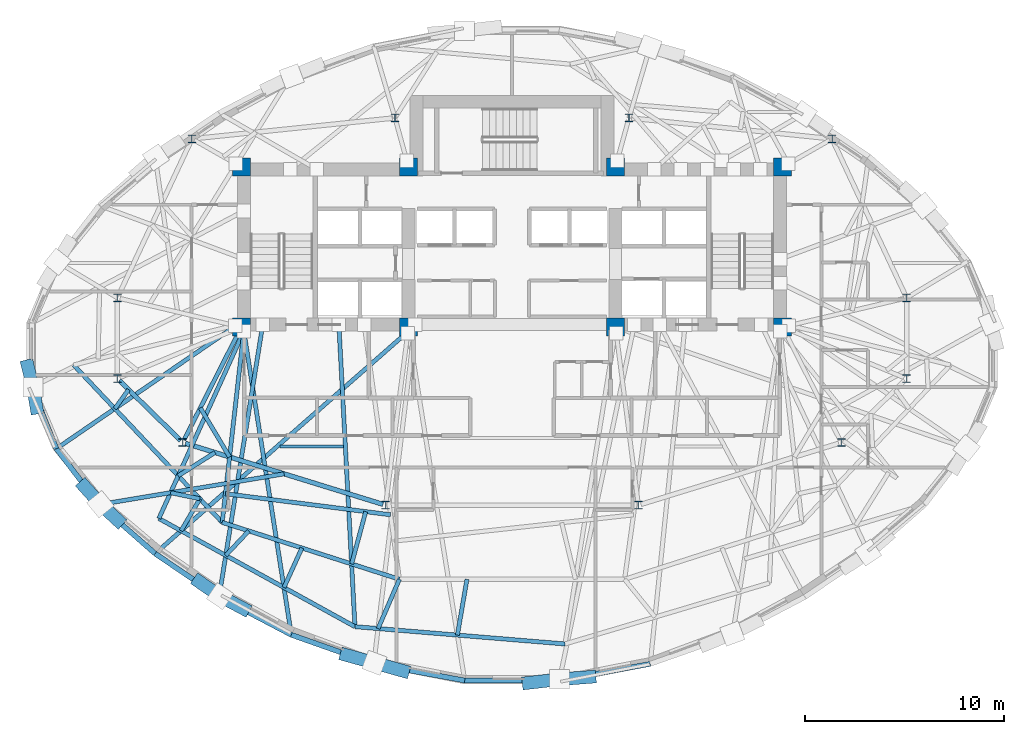
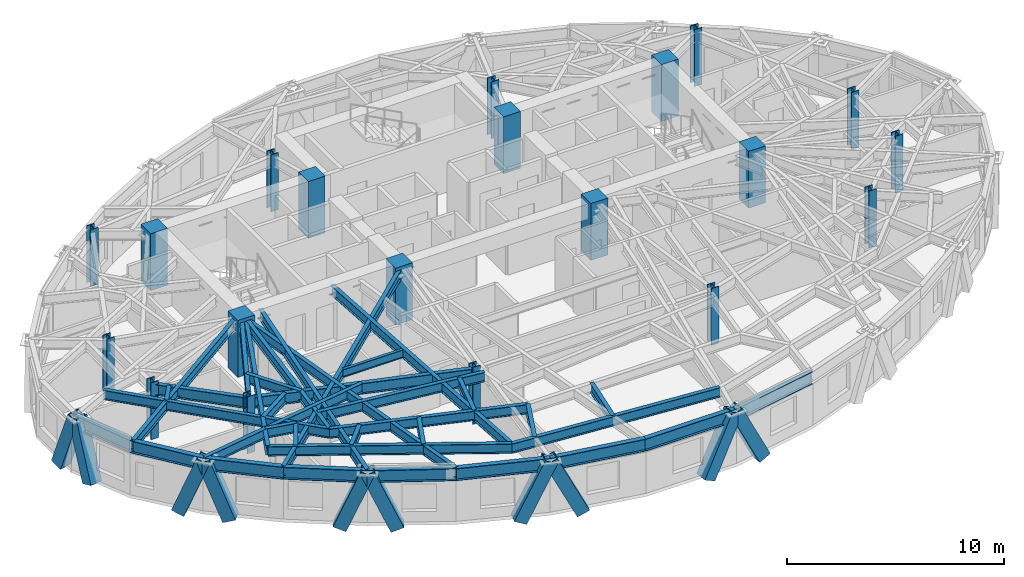
# One storey, part 1 of 14: 36 beams, 20 columns, 10 members.
"""IFC4 building model written with IfcOpenShell, lengths in metres."""

from ifc_helpers import new_model, si_unit, direction, frame, origin, origin_2d, place, context, subcontext, project, spatial, rectangle, hollow_rectangle, i_section, extrude, material, material_profile, profile_set, type_object, element, save


model = new_model("IFC4")

# Units and contexts
model_context = context("Model", 3, precision=1e-05, world=origin(), true_north=direction((0.0, 1.0)))
body_context = subcontext(model_context, "Body", "Model", "MODEL_VIEW")
ifc_project = project(units=[si_unit("LENGTHUNIT", "METRE"), si_unit("AREAUNIT", "SQUARE_METRE"), si_unit("VOLUMEUNIT", "CUBIC_METRE"), si_unit("PLANEANGLEUNIT", "RADIAN"), si_unit("MASSUNIT", "GRAM", prefix="KILO")], contexts=[model_context])

# Site, building, storey
site_placement = place(None, origin())
site = spatial("IfcSite", under=ifc_project, at=site_placement, CompositionType="ELEMENT")
building_placement = place(site_placement, origin())
building = spatial("IfcBuilding", under=site, at=building_placement, Name="Keldmark Tower", CompositionType="ELEMENT")
storey_placement = place(building_placement, frame((0.0, 0.0, 191.800048828125)))
storey = spatial("IfcBuildingStorey", under=building, at=storey_placement, Name="L53", CompositionType="ELEMENT", Elevation=191.800048828125)

# Columns
ifc_material_1 = material(Name="Concrete C50/60", Category="concrete")
ifc_material_profile_1 = material_profile(ifc_material_1, rectangle(XDim=0.89990234375, YDim=0.89990234375, at=origin_2d()), Name="RC900X900")
ifc_profile_set_1 = profile_set([ifc_material_profile_1], Name="Concrete C50/60")
column_type_1 = type_object("IfcColumnType", Name="Core Boundary Column RC900", PredefinedType="COLUMN", material=ifc_profile_set_1)
for number, where, z_axis, x_axis, name in (
    (1, (-13.60009765625, 1.39990234375, 0.0), (0.0, 0.0, 1.0), (1.0, 0.0, 0.0), "L53 Core Boundary Column CC-W1"),
    (2, (-13.60009765625, 9.449951171875, 0.0), (0.0, 0.0, 1.0), (1.0, 0.0, 0.0), "L53 Core Boundary Column CC-W2"),
    (3, (-5.199951171875, 1.39990234375, 0.0), (0.0, 0.0, 1.0), (1.0, 0.0, 0.0), "L53 Core Boundary Column CC-W3"),
    (4, (-5.199951171875, 9.449951171875, 0.0), (0.0, 0.0, 1.0), (1.0, 0.0, 0.0), "L53 Core Boundary Column CC-W4"),
    (5, (5.199951171875, 1.39990234375, 0.0), (0.0, 0.0, 1.0), (1.0, 0.0, 0.0), "L53 Core Boundary Column CC-E1"),
    (6, (5.199951171875, 9.449951171875, 0.0), (0.0, 0.0, 1.0), (1.0, 0.0, 0.0), "L53 Core Boundary Column CC-E2"),
    (7, (13.60009765625, 1.39990234375, 0.0), (0.0, 0.0, 1.0), (1.0, 0.0, 0.0), "L53 Core Boundary Column CC-E3"),
    (8, (13.60009765625, 9.449951171875, 0.0), (0.0, 0.0, 1.0), (1.0, 0.0, 0.0), "L53 Core Boundary Column CC-E4"),
):
    element("IfcColumn", number, at=place(storey_placement, frame(where, z_axis=z_axis, x_axis=x_axis)), inside=storey, type_object=column_type_1, Name=name, PredefinedType="COLUMN", context=body_context, shape_type="SweptSolid", body=[
        extrude(rectangle(XDim=0.89990234375, YDim=0.89990234375, at=origin_2d()), origin(), (0.0, 0.0, 1.0), 3.199951171875),
    ])
ifc_material_2 = material(Name="Steel ASTM A992 Grade 50", Category="steel")
ifc_material_profile_2 = material_profile(ifc_material_2, i_section(OverallWidth=0.404052734375, OverallDepth=0.406982421875, WebThickness=0.027099609375, FlangeThickness=0.043701171875, at=origin_2d()), Name="W14X233")
ifc_profile_set_2 = profile_set([ifc_material_profile_2], Name="Steel ASTM A992 Grade 50")
column_type_2 = type_object("IfcColumnType", Name="Tower Gravity Column W14X233", PredefinedType="COLUMN", material=ifc_profile_set_2)
for number, where, z_axis, x_axis, name in (
    (9, (19.828369140625, 2.869140625, 0.0), (0.0, 0.0, 1.0), (1.0, 0.0, 0.0), "L53 Tower Gravity Column TC-E1"),
    (10, (16.08154296875, 10.861083984375, 0.0), (0.0, 0.0, 1.0), (1.0, 0.0, 0.0), "L53 Tower Gravity Column TC-E4"),
    (11, (5.880126953125, 11.915283203125, 0.0), (0.0, 0.0, 1.0), (1.0, 0.0, 0.0), "L53 Tower Gravity Column TC-N2"),
    (12, (-5.880126953125, 11.915283203125, 0.0), (0.0, 0.0, 1.0), (1.0, 0.0, 0.0), "L53 Tower Gravity Column TC-N1"),
    (13, (-16.08154296875, 10.861083984375, 0.0), (0.0, 0.0, 1.0), (1.0, 0.0, 0.0), "L53 Tower Gravity Column TC-W4"),
    (14, (-19.828369140625, 2.869140625, 0.0), (0.0, 0.0, 1.0), (1.0, 0.0, 0.0), "L53 Tower Gravity Column TC-W1"),
    (15, (-19.828369140625, -1.189208984375, 0.0), (0.0, 0.0, 1.0), (1.0, 0.0, 0.0), "L53 Tower Gravity Column TC-W5"),
    (16, (-16.546630859375, -4.3984375, 0.0), (0.0, 0.0, 1.0), (1.0, 0.0, 0.0), "L53 Tower Gravity Column TC-W2"),
    (17, (-6.351318359375, -7.546142578125, 0.0), (0.0, 0.0, 1.0), (1.0, 0.0, 0.0), "L53 Tower Gravity Column TC-W3"),
    (18, (6.351318359375, -7.546142578125, 0.0), (0.0, 0.0, 1.0), (1.0, 0.0, 0.0), "L53 Tower Gravity Column TC-E3"),
    (19, (16.546630859375, -4.3984375, 0.0), (0.0, 0.0, 1.0), (1.0, 0.0, 0.0), "L53 Tower Gravity Column TC-E2"),
    (20, (19.828369140625, -1.189208984375, 0.0), (0.0, 0.0, 1.0), (1.0, 0.0, 0.0), "L53 Tower Gravity Column TC-E5"),
):
    element("IfcColumn", number, at=place(storey_placement, frame(where, z_axis=z_axis, x_axis=x_axis)), inside=storey, type_object=column_type_2, Name=name, PredefinedType="COLUMN", context=body_context, shape_type="SweptSolid", body=[
        extrude(i_section(OverallWidth=0.404052734375, OverallDepth=0.406982421875, WebThickness=0.027099609375, FlangeThickness=0.043701171875, at=origin_2d()), origin(), (0.0, 0.0, 1.0), 3.199951171875),
    ])

# Beam
ifc_material_3 = material(Name="Steel ASTM A992 Grade 50", Category="steel")
ifc_material_profile_3 = material_profile(ifc_material_3, i_section(OverallWidth=0.153076171875, OverallDepth=0.455078125, WebThickness=0.008056640625, FlangeThickness=0.01318359375, at=origin_2d()), Name="W18X40")
ifc_profile_set_3 = profile_set([ifc_material_profile_3], Name="Steel ASTM A992 Grade 50")
beam_type_1 = type_object("IfcBeamType", Name="Composite Floor Joist W18X40", PredefinedType="JOIST", material=ifc_profile_set_3)
beam_1_placement = place(storey_placement, frame((-11.6591796875, -4.60009765625, 2.79248046875), z_axis=(1.0, 0.0, 0.0), x_axis=(0.0, 1.0, 0.0)))
element("IfcBeam", 21, at=beam_1_placement, inside=storey, type_object=beam_type_1, Name="L53 Composite Floor Joist J01", PredefinedType="JOIST", context=body_context, shape_type="SweptSolid", body=[
    extrude(i_section(OverallWidth=0.153076171875, OverallDepth=0.455078125, WebThickness=0.008056640625, FlangeThickness=0.01318359375, at=origin_2d()), origin(), (0.0, 0.0, 1.0), 3.189208984375),
])

# Members
ifc_material_4 = material(Name="Steel ASTM A572 Grade 50", Category="steel")
ifc_material_profile_4 = material_profile(ifc_material_4, hollow_rectangle(XDim=0.64990234375, YDim=0.64990234375, WallThickness=0.0400390625, at=origin_2d()), Name="BOX650X650X40")
ifc_profile_set_4 = profile_set([ifc_material_profile_4], Name="Steel ASTM A572 Grade 50")
member_type = type_object("IfcMemberType", Name="Diagrid Zone 3 Brace BOX650X650X40", PredefinedType="BRACE", material=ifc_profile_set_4)
member_1_placement = place(storey_placement, frame((-24.333984375, -0.548828125, -0.260009765625), z_axis=(0.079163798339, -0.319281826298, 0.944347504062), x_axis=(0.970610381565, 0.240656367458, 0.0)))
element("IfcMember", 22, at=member_1_placement, inside=storey, type_object=member_type, Name="L53 Perimeter Diagrid Brace 08B", PredefinedType="BRACE", context=body_context, shape_type="SweptSolid", body=[
    extrude(hollow_rectangle(XDim=0.64990234375, YDim=0.64990234375, WallThickness=0.0400390625, at=origin_2d()), origin(), (0.0, 0.0, 1.0), 3.34619140625),
])
member_2_placement = place(storey_placement, frame((-23.89208984375, -2.661376953125, -0.260009765625), z_axis=(-0.053051141963, 0.316550676045, 0.947090938523), x_axis=(-0.986245645228, -0.165286198056, 0.0)))
element("IfcMember", 23, at=member_2_placement, inside=storey, type_object=member_type, Name="L53 Perimeter Diagrid Brace 09A", PredefinedType="BRACE", context=body_context, shape_type="SweptSolid", body=[
    extrude(hollow_rectangle(XDim=0.64990234375, YDim=0.64990234375, WallThickness=0.0400390625, at=origin_2d()), origin(), (0.0, 0.0, 1.0), 3.33642578125),
])
member_3_placement = place(storey_placement, frame((-21.50048828125, -6.589599609375, -0.260009765625), z_axis=(0.240557244368, -0.268518961209, 0.932753868742), x_axis=(0.744822917128, 0.667262183943, 0.0)))
element("IfcMember", 24, at=member_3_placement, inside=storey, type_object=member_type, Name="L53 Perimeter Diagrid Brace 09B", PredefinedType="BRACE", context=body_context, shape_type="SweptSolid", body=[
    extrude(hollow_rectangle(XDim=0.64990234375, YDim=0.64990234375, WallThickness=0.0400390625, at=origin_2d()), origin(), (0.0, 0.0, 1.0), 3.3876953125),
])
member_4_placement = place(storey_placement, frame((-19.789306640625, -8.32080078125, -0.260009765625), z_axis=(-0.265706617393, 0.245611158935, 0.932242002959), x_axis=(-0.678792531533, -0.734330102294, 0.0)))
element("IfcMember", 25, at=member_4_placement, inside=storey, type_object=member_type, Name="L53 Perimeter Diagrid Brace 10A", PredefinedType="BRACE", context=body_context, shape_type="SweptSolid", body=[
    extrude(hollow_rectangle(XDim=0.64990234375, YDim=0.64990234375, WallThickness=0.0400390625, at=origin_2d()), origin(), (0.0, 0.0, 1.0), 3.3896484375),
])
member_5_placement = place(storey_placement, frame((-15.731689453125, -11.384765625, -0.260009765625), z_axis=(0.310368763218, -0.215734544795, 0.925813068065), x_axis=(0.570753945784, 0.821121144151, 0.0)))
element("IfcMember", 26, at=member_5_placement, inside=storey, type_object=member_type, Name="L53 Perimeter Diagrid Brace 10B", PredefinedType="BRACE", context=body_context, shape_type="SweptSolid", body=[
    extrude(hollow_rectangle(XDim=0.64990234375, YDim=0.64990234375, WallThickness=0.0400390625, at=origin_2d()), origin(), (0.0, 0.0, 1.0), 3.4130859375),
])
member_6_placement = place(storey_placement, frame((-13.472900390625, -12.754150390625, -0.260009765625), z_axis=(-0.350775920859, 0.186272153648, 0.917746663367), x_axis=(-0.4690029299, -0.883196609903, 0.0)))
element("IfcMember", 27, at=member_6_placement, inside=storey, type_object=member_type, Name="L53 Perimeter Diagrid Brace 11A", PredefinedType="BRACE", context=body_context, shape_type="SweptSolid", body=[
    extrude(hollow_rectangle(XDim=0.64990234375, YDim=0.64990234375, WallThickness=0.0400390625, at=origin_2d()), origin(), (0.0, 0.0, 1.0), 3.443115234375),
])
member_7_placement = place(storey_placement, frame((-8.34326171875, -15.07421875, -0.260009765625), z_axis=(0.408685267397, -0.113418732828, 0.905600653299), x_axis=(0.267414129107, 0.963581695319, 0.0)))
element("IfcMember", 28, at=member_7_placement, inside=storey, type_object=member_type, Name="L53 Perimeter Diagrid Brace 11B", PredefinedType="BRACE", context=body_context, shape_type="SweptSolid", body=[
    extrude(hollow_rectangle(XDim=0.64990234375, YDim=0.64990234375, WallThickness=0.0400390625, at=origin_2d()), origin(), (0.0, 0.0, 1.0), 3.4892578125),
])
member_8_placement = place(storey_placement, frame((-5.448486328125, -15.881103515625, -0.260009765625), z_axis=(-0.421112234507, 0.118253262355, 0.899266730115), x_axis=(-0.270354550986, -0.962760830508, 0.0)))
element("IfcMember", 29, at=member_8_placement, inside=storey, type_object=member_type, Name="L53 Perimeter Diagrid Brace 12A", PredefinedType="BRACE", context=body_context, shape_type="SweptSolid", body=[
    extrude(hollow_rectangle(XDim=0.64990234375, YDim=0.64990234375, WallThickness=0.0400390625, at=origin_2d()), origin(), (0.0, 0.0, 1.0), 3.513916015625),
])
member_9_placement = place(storey_placement, frame((0.806884765625, -16.477783203125, -0.260009765625), z_axis=(0.445616427688, 0.050686883298, 0.893787916251), x_axis=(-0.113016785958, 0.993593078726, 0.0)))
element("IfcMember", 30, at=member_9_placement, inside=storey, type_object=member_type, Name="L53 Perimeter Diagrid Brace 12B", PredefinedType="BRACE", context=body_context, shape_type="SweptSolid", body=[
    extrude(hollow_rectangle(XDim=0.64990234375, YDim=0.64990234375, WallThickness=0.0400390625, at=origin_2d()), origin(), (0.0, 0.0, 1.0), 3.535400390625),
])
member_10_placement = place(storey_placement, frame((3.928466796875, -16.17822265625, -0.260009765625), z_axis=(-0.44193156866, -0.034143905869, 0.896398729536), x_axis=(0.077031052533, -0.997028694144, 0.0)))
element("IfcMember", 31, at=member_10_placement, inside=storey, type_object=member_type, Name="L53 Perimeter Diagrid Brace 13A", PredefinedType="BRACE", context=body_context, shape_type="SweptSolid", body=[
    extrude(hollow_rectangle(XDim=0.64990234375, YDim=0.64990234375, WallThickness=0.0400390625, at=origin_2d()), origin(), (0.0, 0.0, 1.0), 3.525146484375),
])

# Beams
ifc_material_5 = material(Name="Steel ASTM A992 Grade 50", Category="steel")
ifc_material_profile_5 = material_profile(ifc_material_5, i_section(OverallWidth=0.22900390625, OverallDepth=0.612060546875, WebThickness=0.011962890625, FlangeThickness=0.01953125, at=origin_2d()), Name="W24X84")
ifc_profile_set_5 = profile_set([ifc_material_profile_5], Name="Steel ASTM A992 Grade 50")
beam_type_2 = type_object("IfcBeamType", Name="Primary Floor Girder W24X84", PredefinedType="BEAM", material=ifc_profile_set_5)
beam_2_placement = place(storey_placement, frame((-19.728271484375, -1.287109375, 2.7138671875), z_axis=(0.714964509815, -0.699160746684, 0.0), x_axis=(0.699160746684, 0.714964509815, 0.0)))
element("IfcBeam", 32, at=beam_2_placement, inside=storey, type_object=beam_type_2, Name="L53 Floor Ring Girder FG-R07", PredefinedType="BEAM", context=body_context, shape_type="SweptSolid", body=[
    extrude(i_section(OverallWidth=0.22900390625, OverallDepth=0.612060546875, WebThickness=0.011962890625, FlangeThickness=0.01953125, at=origin_2d()), origin(), (0.0, 0.0, 1.0), 4.31005859375),
])
beam_3_placement = place(storey_placement, frame((-16.412841796875, -4.439697265625, 2.7138671875), z_axis=(0.955494563145, -0.295008711398, 0.0), x_axis=(0.295008711398, 0.955494563145, 0.0)))
element("IfcBeam", 33, at=beam_3_placement, inside=storey, type_object=beam_type_2, Name="L53 Floor Ring Girder FG-R08", PredefinedType="BEAM", context=body_context, shape_type="SweptSolid", body=[
    extrude(i_section(OverallWidth=0.22900390625, OverallDepth=0.612060546875, WebThickness=0.011962890625, FlangeThickness=0.01953125, at=origin_2d()), origin(), (0.0, 0.0, 1.0), 10.39013671875),
])
ifc_material_6 = material(Name="Steel ASTM A992 Grade 50", Category="steel")
ifc_material_profile_6 = material_profile(ifc_material_6, i_section(OverallWidth=0.2099609375, OverallDepth=0.537109375, WebThickness=0.010986328125, FlangeThickness=0.017333984375, at=origin_2d()), Name="W21X68")
ifc_profile_set_6 = profile_set([ifc_material_profile_6], Name="Steel ASTM A992 Grade 50")
beam_type_3 = type_object("IfcBeamType", Name="Radial Tie Girder W21X68", PredefinedType="BEAM", material=ifc_profile_set_6)
beam_4_placement = place(storey_placement, frame((-16.4833984375, -4.273681640625, 2.75146484375), z_axis=(0.453036691775, 0.891491870914, 0.0), x_axis=(-0.891491870914, 0.453036691775, 0.0)))
element("IfcBeam", 34, at=beam_4_placement, inside=storey, type_object=beam_type_3, Name="L53 Floor Radial Girder FG-C08", PredefinedType="BEAM", context=body_context, shape_type="SweptSolid", body=[
    extrude(i_section(OverallWidth=0.2099609375, OverallDepth=0.537109375, WebThickness=0.010986328125, FlangeThickness=0.017333984375, at=origin_2d()), origin(), (0.0, 0.0, 1.0), 6.044189453125),
])
beam_5_placement = place(storey_placement, frame((-15.661865234375, -2.6572265625, 2.75146484375), z_axis=(0.511806509488, -0.85910074895, 0.0), x_axis=(0.85910074895, 0.511806509488, 0.0)))
element("IfcBeam", 35, at=beam_5_placement, inside=storey, type_object=beam_type_3, Name="L53 Framing Pin Header PH-002", PredefinedType="BEAM", context=body_context, shape_type="SweptSolid", body=[
    extrude(i_section(OverallWidth=0.2099609375, OverallDepth=0.537109375, WebThickness=0.010986328125, FlangeThickness=0.017333984375, at=origin_2d()), origin(), (0.0, 0.0, 1.0), 2.873046875),
])
beam_6_placement = place(storey_placement, frame((-13.47509765625, 1.199951171875, 2.75146484375), z_axis=(-0.112536501734, -0.993647591341, 0.0), x_axis=(0.993647591341, -0.112536501734, 0.0)))
element("IfcBeam", 36, at=beam_6_placement, inside=storey, type_object=beam_type_3, Name="L53 Sub-Ring Step Girder STP1-M08", PredefinedType="BEAM", context=body_context, shape_type="SweptSolid", body=[
    extrude(i_section(OverallWidth=0.2099609375, OverallDepth=0.537109375, WebThickness=0.010986328125, FlangeThickness=0.017333984375, at=origin_2d()), origin(), (0.0, 0.0, 1.0), 9.673583984375),
])
beam_7_placement = place(storey_placement, frame((-14.400390625, -6.97021484375, 2.75146484375), z_axis=(0.991932291601, -0.126768800887, 0.0), x_axis=(0.126768800887, 0.991932291601, 0.0)))
element("IfcBeam", 37, at=beam_7_placement, inside=storey, type_object=beam_type_3, Name="L53 Framing Pin Header PH-003", PredefinedType="BEAM", context=body_context, shape_type="SweptSolid", body=[
    extrude(i_section(OverallWidth=0.2099609375, OverallDepth=0.537109375, WebThickness=0.010986328125, FlangeThickness=0.017333984375, at=origin_2d()), origin(), (0.0, 0.0, 1.0), 8.362060546875),
])
beam_8_placement = place(storey_placement, frame((-22.02880859375, -0.502685546875, 2.75146484375), z_axis=(0.68638422422, -0.727239091868, 0.0), x_axis=(0.727239091868, 0.68638422422, 0.0)))
element("IfcBeam", 38, at=beam_8_placement, inside=storey, type_object=beam_type_3, Name="L53 Perimeter Collector Ring Beam CRG1-M07", PredefinedType="BEAM", context=body_context, shape_type="SweptSolid", body=[
    extrude(i_section(OverallWidth=0.2099609375, OverallDepth=0.537109375, WebThickness=0.010986328125, FlangeThickness=0.017333984375, at=origin_2d()), origin(), (0.0, 0.0, 1.0), 10.8759765625),
])
beam_9_placement = place(storey_placement, frame((-14.563720703125, -8.412109375, 2.75146484375), z_axis=(0.952125468384, -0.30570752764, 0.0), x_axis=(0.30570752764, 0.952125468384, 0.0)))
element("IfcBeam", 39, at=beam_9_placement, inside=storey, type_object=beam_type_3, Name="L53 Perimeter Collector Ring Beam CRG1-M08", PredefinedType="BEAM", context=body_context, shape_type="SweptSolid", body=[
    extrude(i_section(OverallWidth=0.2099609375, OverallDepth=0.537109375, WebThickness=0.010986328125, FlangeThickness=0.017333984375, at=origin_2d()), origin(), (0.0, 0.0, 1.0), 9.353271484375),
])
beam_10_placement = place(storey_placement, frame((-14.923583984375, -4.8994140625, 2.75146484375), z_axis=(-0.844560236184, -0.535460556397, 0.0), x_axis=(0.535460556397, -0.844560236184, 0.0)))
element("IfcBeam", 40, at=beam_10_placement, inside=storey, type_object=beam_type_3, Name="L53 Framing Pin Header PH-007", PredefinedType="BEAM", context=body_context, shape_type="SweptSolid", body=[
    extrude(i_section(OverallWidth=0.2099609375, OverallDepth=0.537109375, WebThickness=0.010986328125, FlangeThickness=0.017333984375, at=origin_2d()), origin(), (0.0, 0.0, 1.0), 2.189453125),
])
beam_11_placement = place(storey_placement, frame((-13.47509765625, 1.199951171875, 2.75146484375), z_axis=(-0.413004007562, -0.910729207689, 0.0), x_axis=(0.910729207689, -0.413004007562, 0.0)))
element("IfcBeam", 41, at=beam_11_placement, inside=storey, type_object=beam_type_3, Name="L53 Sub-Ring Step Girder STP2-M08", PredefinedType="BEAM", context=body_context, shape_type="SweptSolid", body=[
    extrude(i_section(OverallWidth=0.2099609375, OverallDepth=0.537109375, WebThickness=0.010986328125, FlangeThickness=0.017333984375, at=origin_2d()), origin(), (0.0, 0.0, 1.0), 10.339599609375),
])
beam_12_placement = place(storey_placement, frame((-7.349853515625, -7.871337890625, 2.75146484375), z_axis=(-0.260613209865, -0.965443294474, 0.0), x_axis=(0.965443294474, -0.260613209865, 0.0)))
element("IfcBeam", 42, at=beam_12_placement, inside=storey, type_object=beam_type_3, Name="L53 Framing Pin Header PH-008", PredefinedType="BEAM", context=body_context, shape_type="SweptSolid", body=[
    extrude(i_section(OverallWidth=0.2099609375, OverallDepth=0.537109375, WebThickness=0.010986328125, FlangeThickness=0.017333984375, at=origin_2d()), origin(), (0.0, 0.0, 1.0), 2.72314453125),
])
beam_13_placement = place(storey_placement, frame((-8.699951171875, 1.52490234375, 2.75146484375), z_axis=(0.053186949352, -0.998584572492, 0.0), x_axis=(0.998584572492, 0.053186949352, 0.0)))
element("IfcBeam", 43, at=beam_13_placement, inside=storey, type_object=beam_type_3, Name="L53 Sub-Ring Step Girder STP2-M09", PredefinedType="BEAM", context=body_context, shape_type="SweptSolid", body=[
    extrude(i_section(OverallWidth=0.2099609375, OverallDepth=0.537109375, WebThickness=0.010986328125, FlangeThickness=0.017333984375, at=origin_2d()), origin(), (0.0, 0.0, 1.0), 15.1982421875),
])
beam_14_placement = place(storey_placement, frame((-17.745361328125, -8.216552734375, 2.75146484375), z_axis=(0.875624827042, -0.482991886337, 0.0), x_axis=(0.482991886337, 0.875624827042, 0.0)))
element("IfcBeam", 44, at=beam_14_placement, inside=storey, type_object=beam_type_3, Name="L53 Perimeter Collector Ring Beam CRG2-M08", PredefinedType="BEAM", context=body_context, shape_type="SweptSolid", body=[
    extrude(i_section(OverallWidth=0.2099609375, OverallDepth=0.537109375, WebThickness=0.010986328125, FlangeThickness=0.017333984375, at=origin_2d()), origin(), (0.0, 0.0, 1.0), 11.25341796875),
])
beam_15_placement = place(storey_placement, frame((-7.8916015625, -13.65185546875, 2.75146484375), z_axis=(0.996623219131, -0.082110651491, 0.0), x_axis=(0.082110651491, 0.996623219131, 0.0)))
element("IfcBeam", 45, at=beam_15_placement, inside=storey, type_object=beam_type_3, Name="L53 Perimeter Collector Ring Beam CRG2-M09", PredefinedType="BEAM", context=body_context, shape_type="SweptSolid", body=[
    extrude(i_section(OverallWidth=0.2099609375, OverallDepth=0.537109375, WebThickness=0.010986328125, FlangeThickness=0.017333984375, at=origin_2d()), origin(), (0.0, 0.0, 1.0), 10.5908203125),
])
beam_16_placement = place(storey_placement, frame((-19.26611328125, -1.739013671875, 2.75146484375), z_axis=(-0.586523837117, -0.809931965349, 0.0), x_axis=(0.809931965349, -0.586523837117, 0.0)))
element("IfcBeam", 46, at=beam_16_placement, inside=storey, type_object=beam_type_3, Name="L53 Framing Pin Header PH-021", PredefinedType="BEAM", context=body_context, shape_type="SweptSolid", body=[
    extrude(i_section(OverallWidth=0.2099609375, OverallDepth=0.537109375, WebThickness=0.010986328125, FlangeThickness=0.017333984375, at=origin_2d()), origin(), (0.0, 0.0, 1.0), 1.181396484375),
])
beam_17_placement = place(storey_placement, frame((-13.800048828125, 1.52490234375, 2.75146484375), z_axis=(-0.824894327773, -0.565286960762, 0.0), x_axis=(0.565286960762, -0.824894327773, 0.0)))
element("IfcBeam", 47, at=beam_17_placement, inside=storey, type_object=beam_type_3, Name="L53 Perimeter Radial Tie Girder RT-18", PredefinedType="BEAM", context=body_context, shape_type="SweptSolid", body=[
    extrude(i_section(OverallWidth=0.2099609375, OverallDepth=0.537109375, WebThickness=0.010986328125, FlangeThickness=0.017333984375, at=origin_2d()), origin(), (0.0, 0.0, 1.0), 11.02734375),
])
beam_18_placement = place(storey_placement, frame((-15.68359375, -7.2255859375, 2.75146484375), z_axis=(-0.97930034681, 0.202412526138, 0.0), x_axis=(-0.202412526138, -0.97930034681, 0.0)))
element("IfcBeam", 48, at=beam_18_placement, inside=storey, type_object=beam_type_3, Name="L53 Framing Pin Header PH-022", PredefinedType="BEAM", context=body_context, shape_type="SweptSolid", body=[
    extrude(i_section(OverallWidth=0.2099609375, OverallDepth=0.537109375, WebThickness=0.010986328125, FlangeThickness=0.017333984375, at=origin_2d()), origin(), (0.0, 0.0, 1.0), 1.50537109375),
])
beam_19_placement = place(storey_placement, frame((-11.448974609375, -5.972412109375, 2.75146484375), z_axis=(-0.986476442363, -0.163903107543, 0.0), x_axis=(0.163903107543, -0.986476442363, 0.0)))
element("IfcBeam", 49, at=beam_19_placement, inside=storey, type_object=beam_type_3, Name="L53 Perimeter Radial Tie Girder RT-19", PredefinedType="BEAM", context=body_context, shape_type="SweptSolid", body=[
    extrude(i_section(OverallWidth=0.2099609375, OverallDepth=0.537109375, WebThickness=0.010986328125, FlangeThickness=0.017333984375, at=origin_2d()), origin(), (0.0, 0.0, 1.0), 9.42138671875),
])
beam_20_placement = place(storey_placement, frame((-15.68359375, -7.2255859375, 2.75146484375), z_axis=(-0.507100252655, -0.861887077149, 0.0), x_axis=(0.861887077149, -0.507100252655, 0.0)))
element("IfcBeam", 50, at=beam_20_placement, inside=storey, type_object=beam_type_3, Name="L53 Framing Pin Header PH-023", PredefinedType="BEAM", context=body_context, shape_type="SweptSolid", body=[
    extrude(i_section(OverallWidth=0.2099609375, OverallDepth=0.537109375, WebThickness=0.010986328125, FlangeThickness=0.017333984375, at=origin_2d()), origin(), (0.0, 0.0, 1.0), 1.8642578125),
])
beam_21_placement = place(storey_placement, frame((-5.199951171875, 1.199951171875, 2.75146484375), z_axis=(-0.751531513051, -0.659697191817, 0.0), x_axis=(0.659697191817, -0.751531513051, 0.0)))
element("IfcBeam", 51, at=beam_21_placement, inside=storey, type_object=beam_type_3, Name="L53 Perimeter Radial Tie Girder RT-20", PredefinedType="BEAM", context=body_context, shape_type="SweptSolid", body=[
    extrude(i_section(OverallWidth=0.2099609375, OverallDepth=0.537109375, WebThickness=0.010986328125, FlangeThickness=0.017333984375, at=origin_2d()), origin(), (0.0, 0.0, 1.0), 16.9453125),
])
beam_22_placement = place(storey_placement, frame((-13.22802734375, -8.8408203125, 2.75146484375), z_axis=(-0.684926903586, -0.728611787404, 0.0), x_axis=(0.728611787404, -0.684926903586, 0.0)))
element("IfcBeam", 52, at=beam_22_placement, inside=storey, type_object=beam_type_3, Name="L53 Framing Pin Header PH-024", PredefinedType="BEAM", context=body_context, shape_type="SweptSolid", body=[
    extrude(i_section(OverallWidth=0.2099609375, OverallDepth=0.537109375, WebThickness=0.010986328125, FlangeThickness=0.017333984375, at=origin_2d()), origin(), (0.0, 0.0, 1.0), 1.687744140625),
])
beam_23_placement = place(storey_placement, frame((-12.52490234375, 1.52490234375, 2.75146484375), z_axis=(-0.158299671011, -0.987391115089, 0.0), x_axis=(0.987391115089, -0.158299671011, 0.0)))
element("IfcBeam", 53, at=beam_23_placement, inside=storey, type_object=beam_type_3, Name="L53 Perimeter Radial Tie Girder RT-21", PredefinedType="BEAM", context=body_context, shape_type="SweptSolid", body=[
    extrude(i_section(OverallWidth=0.2099609375, OverallDepth=0.537109375, WebThickness=0.010986328125, FlangeThickness=0.017333984375, at=origin_2d()), origin(), (0.0, 0.0, 1.0), 13.85888671875),
])
beam_24_placement = place(storey_placement, frame((-10.556396484375, -9.69873046875, 2.75146484375), z_axis=(-0.414089690547, -0.910236083762, 0.0), x_axis=(0.910236083762, -0.414089690547, 0.0)))
element("IfcBeam", 54, at=beam_24_placement, inside=storey, type_object=beam_type_3, Name="L53 Framing Pin Header PH-025", PredefinedType="BEAM", context=body_context, shape_type="SweptSolid", body=[
    extrude(i_section(OverallWidth=0.2099609375, OverallDepth=0.537109375, WebThickness=0.010986328125, FlangeThickness=0.017333984375, at=origin_2d()), origin(), (0.0, 0.0, 1.0), 2.180908203125),
])
beam_25_placement = place(storey_placement, frame((-13.47509765625, 1.199951171875, 2.75146484375), z_axis=(0.154560073857, -0.987983392355, 0.0), x_axis=(0.987983392355, 0.154560073857, 0.0)))
element("IfcBeam", 55, at=beam_25_placement, inside=storey, type_object=beam_type_3, Name="L53 Perimeter Radial Tie Girder RT-22", PredefinedType="BEAM", context=body_context, shape_type="SweptSolid", body=[
    extrude(i_section(OverallWidth=0.2099609375, OverallDepth=0.537109375, WebThickness=0.010986328125, FlangeThickness=0.017333984375, at=origin_2d()), origin(), (0.0, 0.0, 1.0), 15.4482421875),
])
beam_26_placement = place(storey_placement, frame((-5.658203125, -11.271484375, 2.75146484375), z_axis=(-0.397236655141, -0.917716208756, 0.0), x_axis=(0.917716208756, -0.397236655141, 0.0)))
element("IfcBeam", 56, at=beam_26_placement, inside=storey, type_object=beam_type_3, Name="L53 Framing Pin Header PH-026", PredefinedType="BEAM", context=body_context, shape_type="SweptSolid", body=[
    extrude(i_section(OverallWidth=0.2099609375, OverallDepth=0.537109375, WebThickness=0.010986328125, FlangeThickness=0.017333984375, at=origin_2d()), origin(), (0.0, 0.0, 1.0), 2.697998046875),
])
beam_27_placement = place(storey_placement, frame((-2.26318359375, -11.271484375, 2.75146484375), z_axis=(-0.168780428201, -0.985653675008, 0.0), x_axis=(0.985653675008, -0.168780428201, 0.0)))
element("IfcBeam", 57, at=beam_27_placement, inside=storey, type_object=beam_type_3, Name="L53 Framing Pin Header PH-027", PredefinedType="BEAM", context=body_context, shape_type="SweptSolid", body=[
    extrude(i_section(OverallWidth=0.2099609375, OverallDepth=0.537109375, WebThickness=0.010986328125, FlangeThickness=0.017333984375, at=origin_2d()), origin(), (0.0, 0.0, 1.0), 2.84521484375),
])
ifc_material_7 = material(Name="Steel ASTM A992 Grade 50", Category="steel")
ifc_material_profile_7 = material_profile(ifc_material_7, i_section(OverallWidth=0.256103515625, OverallDepth=0.693115234375, WebThickness=0.014404296875, FlangeThickness=0.023681640625, at=origin_2d()), Name="W27X114")
ifc_profile_set_7 = profile_set([ifc_material_profile_7], Name="Steel ASTM A992 Grade 50")
beam_type_4 = type_object("IfcBeamType", Name="Spandrel Ring Beam W27X114", PredefinedType="SPANDREL", material=ifc_profile_set_7)
beam_28_placement = place(storey_placement, frame((-24.12890625, -1.611083984375, 2.67333984375), z_axis=(0.369672887509, -0.929161964483, 0.0), x_axis=(0.929161964483, 0.369672887509, 0.0)))
element("IfcBeam", 58, at=beam_28_placement, inside=storey, type_object=beam_type_4, Name="L53 Perimeter Spandrel Ring Beam SRB-17", PredefinedType="SPANDREL", context=body_context, shape_type="SweptSolid", body=[
    extrude(i_section(OverallWidth=0.256103515625, OverallDepth=0.693115234375, WebThickness=0.014404296875, FlangeThickness=0.023681640625, at=origin_2d()), origin(), (0.0, 0.0, 1.0), 3.333740234375),
])
beam_29_placement = place(storey_placement, frame((-22.896484375, -4.708740234375, 2.67333984375), z_axis=(0.608586512644, -0.793487527708, 0.0), x_axis=(0.793487527708, 0.608586512644, 0.0)))
element("IfcBeam", 59, at=beam_29_placement, inside=storey, type_object=beam_type_4, Name="L53 Perimeter Spandrel Ring Beam SRB-18", PredefinedType="SPANDREL", context=body_context, shape_type="SweptSolid", body=[
    extrude(i_section(OverallWidth=0.256103515625, OverallDepth=0.693115234375, WebThickness=0.014404296875, FlangeThickness=0.023681640625, at=origin_2d()), origin(), (0.0, 0.0, 1.0), 3.53857421875),
])
beam_30_placement = place(storey_placement, frame((-20.742919921875, -7.5166015625, 2.67333984375), z_axis=(0.751904074321, -0.659272525607, 0.0), x_axis=(0.659272525607, 0.751904074321, 0.0)))
element("IfcBeam", 60, at=beam_30_placement, inside=storey, type_object=beam_type_4, Name="L53 Perimeter Spandrel Ring Beam SRB-19", PredefinedType="SPANDREL", context=body_context, shape_type="SweptSolid", body=[
    extrude(i_section(OverallWidth=0.256103515625, OverallDepth=0.693115234375, WebThickness=0.014404296875, FlangeThickness=0.023681640625, at=origin_2d()), origin(), (0.0, 0.0, 1.0), 3.734619140625),
])
beam_31_placement = place(storey_placement, frame((-17.934814453125, -9.978759765625, 2.67333984375), z_axis=(0.827704046296, -0.561164870377, 0.0), x_axis=(0.561164870377, 0.827704046296, 0.0)))
element("IfcBeam", 61, at=beam_31_placement, inside=storey, type_object=beam_type_4, Name="L53 Perimeter Spandrel Ring Beam SRB-20", PredefinedType="SPANDREL", context=body_context, shape_type="SweptSolid", body=[
    extrude(i_section(OverallWidth=0.256103515625, OverallDepth=0.693115234375, WebThickness=0.014404296875, FlangeThickness=0.023681640625, at=origin_2d()), origin(), (0.0, 0.0, 1.0), 3.885498046875),
])
beam_32_placement = place(storey_placement, frame((-14.71875, -12.1591796875, 2.67333984375), z_axis=(0.885688137447, -0.464280651316, 0.0), x_axis=(0.464280651316, 0.885688137447, 0.0)))
element("IfcBeam", 62, at=beam_32_placement, inside=storey, type_object=beam_type_4, Name="L53 Perimeter Spandrel Ring Beam SRB-21", PredefinedType="SPANDREL", context=body_context, shape_type="SweptSolid", body=[
    extrude(i_section(OverallWidth=0.256103515625, OverallDepth=0.693115234375, WebThickness=0.014404296875, FlangeThickness=0.023681640625, at=origin_2d()), origin(), (0.0, 0.0, 1.0), 4.10009765625),
])
beam_33_placement = place(storey_placement, frame((-11.08740234375, -14.062744140625, 2.67333984375), z_axis=(0.943106248319, -0.332491510239, 0.0), x_axis=(0.332491510239, 0.943106248319, 0.0)))
element("IfcBeam", 63, at=beam_33_placement, inside=storey, type_object=beam_type_4, Name="L53 Perimeter Spandrel Ring Beam SRB-22", PredefinedType="SPANDREL", context=body_context, shape_type="SweptSolid", body=[
    extrude(i_section(OverallWidth=0.256103515625, OverallDepth=0.693115234375, WebThickness=0.014404296875, FlangeThickness=0.023681640625, at=origin_2d()), origin(), (0.0, 0.0, 1.0), 4.3916015625),
])
beam_34_placement = place(storey_placement, frame((-6.945556640625, -15.52294921875, 2.67333984375), z_axis=(0.983691132349, -0.179865939348, 0.0), x_axis=(0.179865939348, 0.983691132349, 0.0)))
element("IfcBeam", 64, at=beam_34_placement, inside=storey, type_object=beam_type_4, Name="L53 Perimeter Spandrel Ring Beam SRB-23", PredefinedType="SPANDREL", context=body_context, shape_type="SweptSolid", body=[
    extrude(i_section(OverallWidth=0.256103515625, OverallDepth=0.693115234375, WebThickness=0.014404296875, FlangeThickness=0.023681640625, at=origin_2d()), origin(), (0.0, 0.0, 1.0), 4.644775390625),
])
beam_35_placement = place(storey_placement, frame((-2.37646484375, -16.3583984375, 2.67333984375), z_axis=(1.0, 0.0, 0.0), x_axis=(0.0, 1.0, 0.0)))
element("IfcBeam", 65, at=beam_35_placement, inside=storey, type_object=beam_type_4, Name="L53 Perimeter Spandrel Ring Beam SRB-24", PredefinedType="SPANDREL", context=body_context, shape_type="SweptSolid", body=[
    extrude(i_section(OverallWidth=0.256103515625, OverallDepth=0.693115234375, WebThickness=0.014404296875, FlangeThickness=0.023681640625, at=origin_2d()), origin(), (0.0, 0.0, 1.0), 4.7529296875),
])
beam_36_placement = place(storey_placement, frame((2.37646484375, -16.3583984375, 2.67333984375), z_axis=(0.983691132349, 0.179865939348, 0.0), x_axis=(-0.179865939348, 0.983691132349, 0.0)))
element("IfcBeam", 66, at=beam_36_placement, inside=storey, type_object=beam_type_4, Name="L53 Perimeter Spandrel Ring Beam SRB-25", PredefinedType="SPANDREL", context=body_context, shape_type="SweptSolid", body=[
    extrude(i_section(OverallWidth=0.256103515625, OverallDepth=0.693115234375, WebThickness=0.014404296875, FlangeThickness=0.023681640625, at=origin_2d()), origin(), (0.0, 0.0, 1.0), 4.644775390625),
])

save(model, "model.ifc")
